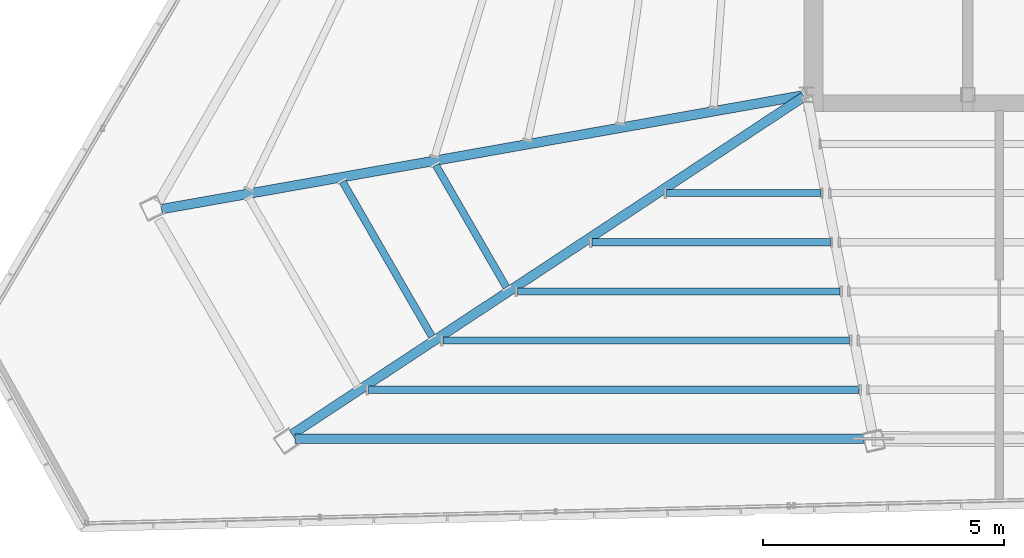
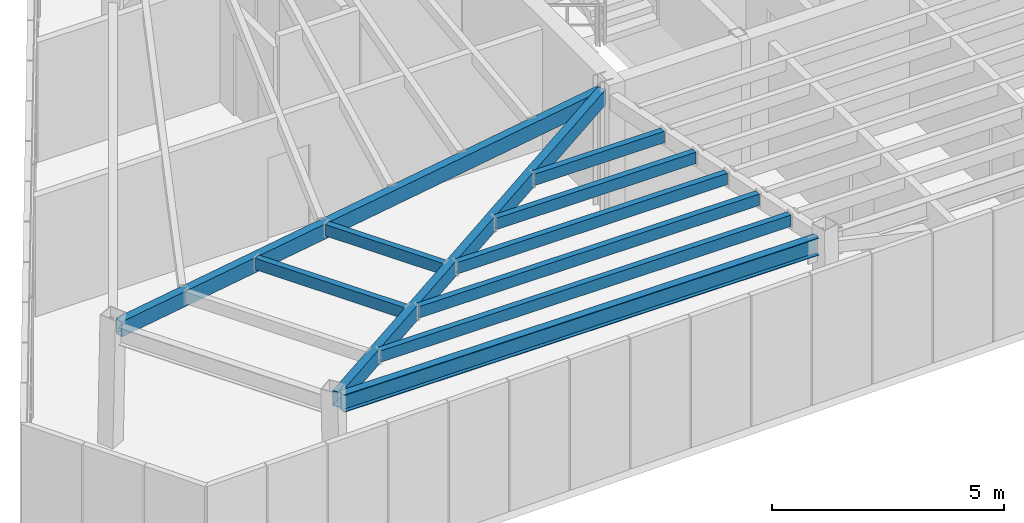
# One storey, part 6 of 48: 10 beams.
"""IFC4 building model written with IfcOpenShell, lengths in metres."""

from ifc_helpers import new_model, si_unit, direction, frame, origin, origin_2d, place, context, subcontext, project, spatial, hollow_rectangle, i_section, extrude, source, transform, mapped, material, material_profile, profile_set, type_object, type_shapes, element, save


model = new_model("IFC4")

# Units and contexts
model_context = context("Model", 3, precision=1e-05, world=origin(), true_north=direction((0.0, 1.0)))
body_context = subcontext(model_context, "Body", "Model", "MODEL_VIEW")
ifc_project = project(units=[si_unit("LENGTHUNIT", "METRE"), si_unit("AREAUNIT", "SQUARE_METRE"), si_unit("VOLUMEUNIT", "CUBIC_METRE"), si_unit("PLANEANGLEUNIT", "RADIAN"), si_unit("MASSUNIT", "GRAM", prefix="KILO")], contexts=[model_context])

# Site, building, storey
site_placement = place(None, origin())
site = spatial("IfcSite", under=ifc_project, at=site_placement, CompositionType="ELEMENT")
building_placement = place(site_placement, origin())
building = spatial("IfcBuilding", under=site, at=building_placement, Name="Caelisora Broadcast Tower", CompositionType="ELEMENT")
storey_placement = place(building_placement, frame((0.0, 0.0, 300.0)))
storey = spatial("IfcBuildingStorey", under=building, at=storey_placement, Name="L79", CompositionType="ELEMENT", Elevation=300.0)

# Beams
ifc_material_1 = material(Name="Steel Grade 350 (AS/NZS 3679.1)", Category="steel")
ifc_material_profile_1 = material_profile(ifc_material_1, i_section(OverallWidth=0.19091796875, OverallDepth=0.46044921875, WebThickness=0.010009765625, FlangeThickness=0.01611328125, at=origin_2d()), Name="Steel Grade 350 (AS/NZS 3679.1)")
ifc_profile_set_1 = profile_set([ifc_material_profile_1], Name="Steel Grade 350 (AS/NZS 3679.1)")
beam_type_1 = type_object("IfcBeamType", Name="PG06", PredefinedType="BEAM", material=ifc_profile_set_1)
shared_shape_1 = source(origin(), body_context, "Body", "SweptSolid", [
    extrude(i_section(OverallWidth=0.19091796875, OverallDepth=0.46044921875, WebThickness=0.010009765625, FlangeThickness=0.01611328125, at=origin_2d()), origin(), (0.0, 0.0, 1.0), 11.809326171875),
])
type_shapes(beam_type_1, [shared_shape_1])
beam_1_placement = place(storey_placement, frame((19.869873046875, 10.25, 2.919921875), z_axis=(1.0, 0.0, 0.0), x_axis=(0.0, 1.0, 0.0)))
element("IfcBeam", 1, at=beam_1_placement, inside=storey, type_object=beam_type_1, Name="L79 beam PG06", PredefinedType="BEAM", context=body_context, shape_type="MappedRepresentation", body=[
    mapped(shared_shape_1, transform((0.0, 0.0, 0.0), scale=1.0)),
])
ifc_material_2 = material(Name="Steel Grade 350 (AS/NZS 1163 C350L0)", Category="steel")
ifc_material_profile_2 = material_profile(ifc_material_2, hollow_rectangle(XDim=0.199951171875, YDim=0.39990234375, WallThickness=0.012451171875, at=origin_2d()), Name="Steel Grade 350 (AS/NZS 1163 C350L0)")
ifc_profile_set_2 = profile_set([ifc_material_profile_2], Name="Steel Grade 350 (AS/NZS 1163 C350L0)")
beam_type_2 = type_object("IfcBeamType", Name="PG07", PredefinedType="BEAM", material=ifc_profile_set_2)
shared_shape_2 = source(origin(), body_context, "Body", "SweptSolid", [
    extrude(hollow_rectangle(XDim=0.199951171875, YDim=0.39990234375, WallThickness=0.012451171875, at=origin_2d()), origin(), (0.0, 0.0, 1.0), 13.560546875),
])
beam_2_placement = place(storey_placement, frame((30.44091796875, 17.389404296875, 2.949951171875), z_axis=(-0.984655515058, -0.174509359823, 0.0), x_axis=(0.174509359823, -0.984655515058, 0.0)))
element("IfcBeam", 2, at=beam_2_placement, inside=storey, type_object=beam_type_2, Name="L79 beam PG07", PredefinedType="BEAM", context=body_context, shape_type="MappedRepresentation", body=[
    mapped(shared_shape_2, transform((0.0, 0.0, 0.0), scale=1.0)),
])
shared_shape_3 = source(origin(), body_context, "Body", "SweptSolid", [
    extrude(hollow_rectangle(XDim=0.199951171875, YDim=0.39990234375, WallThickness=0.012451171875, at=origin_2d()), origin(), (0.0, 0.0, 1.0), 12.756103515625),
])
type_shapes(beam_type_2, [shared_shape_2, shared_shape_3])
beam_3_placement = place(storey_placement, frame((30.449951171875, 17.366943359375, 2.949951171875), z_axis=(-0.83472588535, -0.550665684718, 0.0), x_axis=(0.550665684718, -0.83472588535, 0.0)))
element("IfcBeam", 3, at=beam_3_placement, inside=storey, type_object=beam_type_2, Name="L79 beam PG07", PredefinedType="BEAM", context=body_context, shape_type="MappedRepresentation", body=[
    mapped(shared_shape_3, transform((0.0, 0.0, 0.0), scale=1.0)),
])
ifc_material_profile_3 = material_profile(ifc_material_2, hollow_rectangle(XDim=0.14990234375, YDim=0.300048828125, WallThickness=0.010009765625, at=origin_2d()), Name="Steel Grade 350 (AS/NZS 1163 C350L0)")
ifc_profile_set_3 = profile_set([ifc_material_profile_3], Name="Steel Grade 350 (AS/NZS 1163 C350L0)")
beam_type_3 = type_object("IfcBeamType", Name="SB05", PredefinedType="JOIST", material=ifc_profile_set_3)
shared_shape_4 = source(origin(), body_context, "Body", "SweptSolid", [
    extrude(hollow_rectangle(XDim=0.14990234375, YDim=0.300048828125, WallThickness=0.010009765625, at=origin_2d()), origin(), (0.0, 0.0, 1.0), 2.929443359375),
])
beam_4_placement = place(storey_placement, frame((22.79345703125, 15.935302734375, 3.0), z_axis=(0.500047088248, -0.865998215665, 0.0), x_axis=(0.865998215665, 0.500047088248, 0.0)))
element("IfcBeam", 4, at=beam_4_placement, inside=storey, type_object=beam_type_3, Name="L79 beam SB05", PredefinedType="JOIST", context=body_context, shape_type="MappedRepresentation", body=[
    mapped(shared_shape_4, transform((0.0, 0.0, 0.0), scale=1.0)),
])
shared_shape_5 = source(origin(), body_context, "Body", "SweptSolid", [
    extrude(hollow_rectangle(XDim=0.14990234375, YDim=0.300048828125, WallThickness=0.010009765625, at=origin_2d()), origin(), (0.0, 0.0, 1.0), 3.712158203125),
])
beam_5_placement = place(storey_placement, frame((20.85400390625, 15.591796875, 3.0), z_axis=(0.499972951856, -0.866041019474, 0.0), x_axis=(0.866041019474, 0.499972951856, 0.0)))
element("IfcBeam", 5, at=beam_5_placement, inside=storey, type_object=beam_type_3, Name="L79 beam SB05", PredefinedType="JOIST", context=body_context, shape_type="MappedRepresentation", body=[
    mapped(shared_shape_5, transform((0.0, 0.0, 0.0), scale=1.0)),
])
shared_shape_6 = source(origin(), body_context, "Body", "SweptSolid", [
    extrude(hollow_rectangle(XDim=0.14990234375, YDim=0.300048828125, WallThickness=0.010009765625, at=origin_2d()), origin(), (0.0, 0.0, 1.0), 3.215576171875),
])
beam_6_placement = place(storey_placement, frame((27.58203125, 15.357177734375, 3.0), z_axis=(1.0, 0.0, 0.0), x_axis=(0.0, 1.0, 0.0)))
element("IfcBeam", 6, at=beam_6_placement, inside=storey, type_object=beam_type_3, Name="L79 beam SB05", PredefinedType="JOIST", context=body_context, shape_type="MappedRepresentation", body=[
    mapped(shared_shape_6, transform((0.0, 0.0, 0.0), scale=1.0)),
])
shared_shape_7 = source(origin(), body_context, "Body", "SweptSolid", [
    extrude(hollow_rectangle(XDim=0.14990234375, YDim=0.300048828125, WallThickness=0.010009765625, at=origin_2d()), origin(), (0.0, 0.0, 1.0), 4.9619140625),
])
beam_7_placement = place(storey_placement, frame((26.03369140625, 14.335693359375, 3.0), z_axis=(1.0, 0.0, 0.0), x_axis=(0.0, 1.0, 0.0)))
element("IfcBeam", 7, at=beam_7_placement, inside=storey, type_object=beam_type_3, Name="L79 beam SB05", PredefinedType="JOIST", context=body_context, shape_type="MappedRepresentation", body=[
    mapped(shared_shape_7, transform((0.0, 0.0, 0.0), scale=1.0)),
])
shared_shape_8 = source(origin(), body_context, "Body", "SweptSolid", [
    extrude(hollow_rectangle(XDim=0.14990234375, YDim=0.300048828125, WallThickness=0.010009765625, at=origin_2d()), origin(), (0.0, 0.0, 1.0), 6.70849609375),
])
beam_8_placement = place(storey_placement, frame((24.4853515625, 13.314208984375, 3.0), z_axis=(1.0, 0.0, 0.0), x_axis=(0.0, 1.0, 0.0)))
element("IfcBeam", 8, at=beam_8_placement, inside=storey, type_object=beam_type_3, Name="L79 beam SB05", PredefinedType="JOIST", context=body_context, shape_type="MappedRepresentation", body=[
    mapped(shared_shape_8, transform((0.0, 0.0, 0.0), scale=1.0)),
])
shared_shape_9 = source(origin(), body_context, "Body", "SweptSolid", [
    extrude(hollow_rectangle(XDim=0.14990234375, YDim=0.300048828125, WallThickness=0.010009765625, at=origin_2d()), origin(), (0.0, 0.0, 1.0), 8.455078125),
])
beam_9_placement = place(storey_placement, frame((22.93701171875, 12.29296875, 3.0), z_axis=(1.0, 0.0, 0.0), x_axis=(0.0, 1.0, 0.0)))
element("IfcBeam", 9, at=beam_9_placement, inside=storey, type_object=beam_type_3, Name="L79 beam SB05", PredefinedType="JOIST", context=body_context, shape_type="MappedRepresentation", body=[
    mapped(shared_shape_9, transform((0.0, 0.0, 0.0), scale=1.0)),
])
shared_shape_10 = source(origin(), body_context, "Body", "SweptSolid", [
    extrude(hollow_rectangle(XDim=0.14990234375, YDim=0.300048828125, WallThickness=0.010009765625, at=origin_2d()), origin(), (0.0, 0.0, 1.0), 10.201171875),
])
type_shapes(beam_type_3, [shared_shape_4, shared_shape_5, shared_shape_6, shared_shape_7, shared_shape_8, shared_shape_9, shared_shape_10])
beam_10_placement = place(storey_placement, frame((21.388916015625, 11.271484375, 3.0), z_axis=(1.0, 0.0, 0.0), x_axis=(0.0, 1.0, 0.0)))
element("IfcBeam", 10, at=beam_10_placement, inside=storey, type_object=beam_type_3, Name="L79 beam SB05", PredefinedType="JOIST", context=body_context, shape_type="MappedRepresentation", body=[
    mapped(shared_shape_10, transform((0.0, 0.0, 0.0), scale=1.0)),
])

save(model, "model.ifc")
